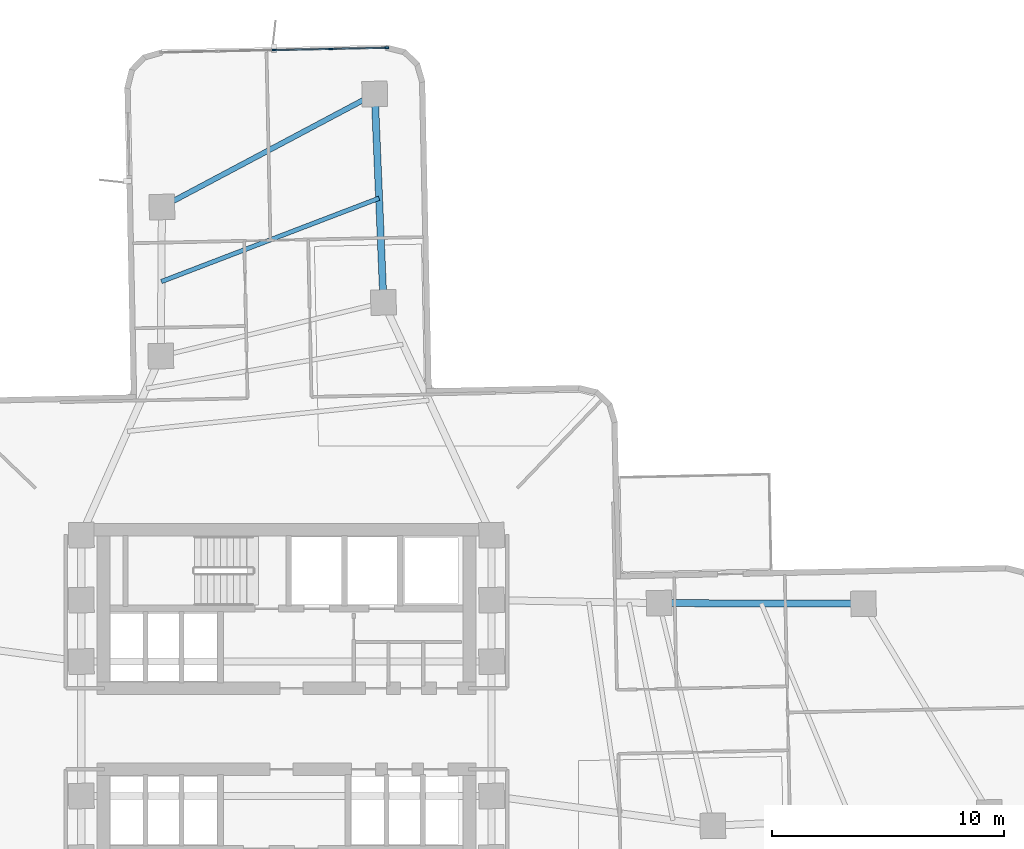
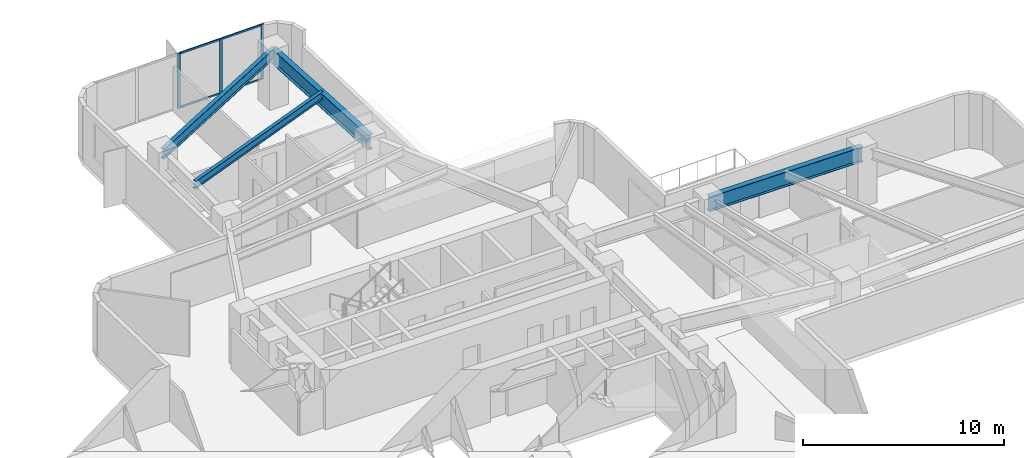
# One storey, part 6 of 15: 7 members, 4 beams, 1 element without a shape of its own.
"""IFC4 building model written with IfcOpenShell, lengths in metres."""

from ifc_helpers import new_model, si_unit, direction, frame, origin, origin_2d, place, context, subcontext, project, spatial, rectangle, i_section, extrude, material, layer, layer_set, material_profile, profile_set, type_object, element, aggregate, save


model = new_model("IFC4")

# Units and contexts
model_context = context("Model", 3, precision=1e-05, world=origin(), true_north=direction((0.0, 1.0)))
body_context = subcontext(model_context, "Body", "Model", "MODEL_VIEW")
ifc_project = project(units=[si_unit("LENGTHUNIT", "METRE"), si_unit("AREAUNIT", "SQUARE_METRE"), si_unit("VOLUMEUNIT", "CUBIC_METRE"), si_unit("PLANEANGLEUNIT", "RADIAN"), si_unit("MASSUNIT", "GRAM", prefix="KILO")], contexts=[model_context])

# Site, building, storey
site_placement = place(None, origin())
site = spatial("IfcSite", under=ifc_project, at=site_placement, CompositionType="ELEMENT")
building_placement = place(site_placement, origin())
building = spatial("IfcBuilding", under=site, at=building_placement, Name="Solmarez Civic Tower", CompositionType="ELEMENT")
storey_placement = place(building_placement, frame((0.0, 0.0, 38.8798828125)))
storey = spatial("IfcBuildingStorey", under=building, at=storey_placement, Name="L09", CompositionType="ELEMENT", Elevation=38.8798828125)

# Beams
ifc_material_1 = material(Name="Steel S355", Category="steel")
ifc_material_profile_1 = material_profile(ifc_material_1, i_section(OverallWidth=0.19189453125, OverallDepth=0.462890625, WebThickness=0.010498046875, FlangeThickness=0.017578125, at=origin_2d()), Name="W18X60")
ifc_profile_set_1 = profile_set([ifc_material_profile_1], Name="Steel S355")
beam_type_1 = type_object("IfcBeamType", Name="BM-JS-W18X60", PredefinedType="JOIST", material=ifc_profile_set_1)
beam_1_placement = place(storey_placement, frame((3.9951171875, 22.886962890625, 3.109130859375), z_axis=(-0.933878315551, -0.357590955903, 0.0), x_axis=(0.357590955903, -0.933878315551, 0.0)))
element("IfcBeam", 1, at=beam_1_placement, inside=storey, type_object=beam_type_1, Name="L09 Secondary Floor Joist JS-L09-NA-M2", PredefinedType="JOIST", context=body_context, shape_type="SweptSolid", body=[
    extrude(i_section(OverallWidth=0.19189453125, OverallDepth=0.462890625, WebThickness=0.010498046875, FlangeThickness=0.017578125, at=origin_2d()), origin(), (0.0, 0.0, 1.0), 10.05615234375),
])
ifc_material_profile_2 = material_profile(ifc_material_1, i_section(OverallWidth=0.303955078125, OverallDepth=0.910888671875, WebThickness=0.015869140625, FlangeThickness=0.02392578125, at=origin_2d()), Name="W36X150")
ifc_profile_set_2 = profile_set([ifc_material_profile_2], Name="Steel S355")
beam_type_2 = type_object("IfcBeamType", Name="BM-PR-W36X150", PredefinedType="BEAM", material=ifc_profile_set_2)
beam_2_placement = place(storey_placement, frame((16.075927734375, 5.4208984375, 2.884033203125), z_axis=(0.99999501223, -0.003158403928, 0.0), x_axis=(0.003158403928, 0.99999501223, 0.0)))
element("IfcBeam", 2, at=beam_2_placement, inside=storey, type_object=beam_type_2, Name="L09 Primary Floor Beam BM-L09-EA-R2B", PredefinedType="BEAM", context=body_context, shape_type="SweptSolid", body=[
    extrude(i_section(OverallWidth=0.303955078125, OverallDepth=0.910888671875, WebThickness=0.015869140625, FlangeThickness=0.02392578125, at=origin_2d()), origin(), (0.0, 0.0, 1.0), 8.81201171875),
])
beam_3_placement = place(storey_placement, frame((4.18408203125, 18.39111328125, 2.884033203125), z_axis=(-0.041911499832, 0.999121327058, 0.0), x_axis=(-0.999121327058, -0.041911499832, 0.0)))
element("IfcBeam", 3, at=beam_3_placement, inside=storey, type_object=beam_type_2, Name="L09 Primary Floor Beam BM-L09-NA-R2A", PredefinedType="BEAM", context=body_context, shape_type="SweptSolid", body=[
    extrude(i_section(OverallWidth=0.303955078125, OverallDepth=0.910888671875, WebThickness=0.015869140625, FlangeThickness=0.02392578125, at=origin_2d()), origin(), (0.0, 0.0, 1.0), 8.999755859375),
])
ifc_material_profile_3 = material_profile(ifc_material_1, i_section(OverallWidth=0.22900390625, OverallDepth=0.612060546875, WebThickness=0.011962890625, FlangeThickness=0.01953125, at=origin_2d()), Name="W24X84")
ifc_profile_set_3 = profile_set([ifc_material_profile_3], Name="Steel S355")
beam_type_3 = type_object("IfcBeamType", Name="BM-SP-W24X84", PredefinedType="SPANDREL", material=ifc_profile_set_3)
beam_4_placement = place(storey_placement, frame((3.806884765625, 27.383056640625, 3.0341796875), z_axis=(-0.883129404808, -0.469129464394, 0.0), x_axis=(0.469129464394, -0.883129404808, 0.0)))
element("IfcBeam", 4, at=beam_4_placement, inside=storey, type_object=beam_type_3, Name="L09 Perimeter Spandrel Beam BM-L09-NA-T2", PredefinedType="SPANDREL", context=body_context, shape_type="SweptSolid", body=[
    extrude(i_section(OverallWidth=0.22900390625, OverallDepth=0.612060546875, WebThickness=0.011962890625, FlangeThickness=0.01953125, at=origin_2d()), origin(), (0.0, 0.0, 1.0), 10.3935546875),
])

# Curtain wall, members
ifc_material_2 = material(Name="Bronze Anodised Aluminium EN AW-6063 T6", Category="aluminium")
ifc_layer = layer(ifc_material_2, 0.155029296875)
ifc_layer_set = layer_set([ifc_layer], Name="Bronze Anodised Aluminium EN AW-6063 T6")
curtain_wall_type = type_object("IfcCurtainWallType", Name="CW-SYS-6", PredefinedType="NOTDEFINED", material=ifc_layer_set)
curtain_wall_placement = place(storey_placement, origin())
curtain_wall = element("IfcCurtainWall", 5, at=curtain_wall_placement, inside=storey, type_object=curtain_wall_type, Name="L09 Stick-Built Curtain Wall 2", PredefinedType="NOTDEFINED")
ifc_material_profile_4 = material_profile(ifc_material_2, rectangle(XDim=0.070068359375, YDim=0.179931640625, at=origin_2d()), Name="CWM-70X180")
ifc_profile_set_4 = profile_set([ifc_material_profile_4], Name="Bronze Anodised Aluminium EN AW-6063 T6")
member_type_1 = type_object("IfcMemberType", Name="CWM-TYPE-2", PredefinedType="MULLION", material=ifc_profile_set_4)
member_1_placement = place(storey_placement, frame((-0.532958984375, 29.27490234375, 0.0), z_axis=(0.0, 0.0, 1.0), x_axis=(-0.021067336354, 0.999778059041, 0.0)))
member_1 = element("IfcMember", 6, at=member_1_placement, type_object=member_type_1, Name="CWS6 mullion 3", PredefinedType="MULLION", context=body_context, shape_type="SweptSolid", body=[
    extrude(rectangle(XDim=0.070068359375, YDim=0.179931640625, at=origin_2d()), origin(), (0.0, 0.0, 1.0), 3.340087890625),
])
member_2_placement = place(storey_placement, frame((1.910888671875, 29.326416015625, 0.0), z_axis=(0.0, 0.0, 1.0), x_axis=(-0.021067336354, 0.999778059041, 0.0)))
member_2 = element("IfcMember", 7, at=member_2_placement, type_object=member_type_1, Name="CWS6 mullion 4", PredefinedType="MULLION", context=body_context, shape_type="SweptSolid", body=[
    extrude(rectangle(XDim=0.070068359375, YDim=0.179931640625, at=origin_2d()), origin(), (0.0, 0.0, 1.0), 3.340087890625),
])
member_3_placement = place(storey_placement, frame((4.320068359375, 29.377197265625, 0.0), z_axis=(0.0, 0.0, 1.0), x_axis=(-0.021067336354, 0.999778059041, 0.0)))
member_3 = element("IfcMember", 8, at=member_3_placement, type_object=member_type_1, Name="CWS6 mullion 5", PredefinedType="MULLION", context=body_context, shape_type="SweptSolid", body=[
    extrude(rectangle(XDim=0.070068359375, YDim=0.179931640625, at=origin_2d()), origin(), (0.0, 0.0, 1.0), 3.340087890625),
])
ifc_material_profile_5 = material_profile(ifc_material_2, rectangle(XDim=0.06005859375, YDim=0.110107421875, at=origin_2d()), Name="CWT-60X110")
ifc_profile_set_5 = profile_set([ifc_material_profile_5], Name="Bronze Anodised Aluminium EN AW-6063 T6")
member_type_2 = type_object("IfcMemberType", Name="CWT-TYPE-3", PredefinedType="USERDEFINED", material=ifc_profile_set_5)
member_4_placement = place(storey_placement, frame((-0.498046875, 29.275634765625, 0.030029296875), z_axis=(0.999777851651, 0.021077176017, 0.0), x_axis=(-0.021077176017, 0.999777851651, 0.0)))
member_4 = element("IfcMember", 9, at=member_4_placement, type_object=member_type_2, Name="CWS6 transom 3.1", ObjectType="TRANSOM", PredefinedType="USERDEFINED", context=body_context, shape_type="SweptSolid", body=[
    extrude(rectangle(XDim=0.06005859375, YDim=0.110107421875, at=origin_2d()), origin(), (0.0, 0.0, 1.0), 2.37451171875),
])
member_5_placement = place(storey_placement, frame((-0.498046875, 29.275634765625, 3.31005859375), z_axis=(0.999777851651, 0.021077176017, 0.0), x_axis=(-0.021077176017, 0.999777851651, 0.0)))
member_5 = element("IfcMember", 10, at=member_5_placement, type_object=member_type_2, Name="CWS6 transom 3.2", ObjectType="TRANSOM", PredefinedType="USERDEFINED", context=body_context, shape_type="SweptSolid", body=[
    extrude(rectangle(XDim=0.06005859375, YDim=0.110107421875, at=origin_2d()), origin(), (0.0, 0.0, 1.0), 2.37451171875),
])
member_6_placement = place(storey_placement, frame((1.946044921875, 29.3271484375, 0.030029296875), z_axis=(0.999777772941, 0.0210809092, 0.0), x_axis=(-0.0210809092, 0.999777772941, 0.0)))
member_6 = element("IfcMember", 11, at=member_6_placement, type_object=member_type_2, Name="CWS6 transom 4.1", ObjectType="TRANSOM", PredefinedType="USERDEFINED", context=body_context, shape_type="SweptSolid", body=[
    extrude(rectangle(XDim=0.06005859375, YDim=0.110107421875, at=origin_2d()), origin(), (0.0, 0.0, 1.0), 2.33935546875),
])
member_7_placement = place(storey_placement, frame((1.946044921875, 29.3271484375, 3.31005859375), z_axis=(0.999777772941, 0.0210809092, 0.0), x_axis=(-0.0210809092, 0.999777772941, 0.0)))
member_7 = element("IfcMember", 12, at=member_7_placement, type_object=member_type_2, Name="CWS6 transom 4.2", ObjectType="TRANSOM", PredefinedType="USERDEFINED", context=body_context, shape_type="SweptSolid", body=[
    extrude(rectangle(XDim=0.06005859375, YDim=0.110107421875, at=origin_2d()), origin(), (0.0, 0.0, 1.0), 2.33935546875),
])
aggregate(curtain_wall, [member_1, member_2, member_3, member_4, member_5, member_6, member_7])

save(model, "model.ifc")
